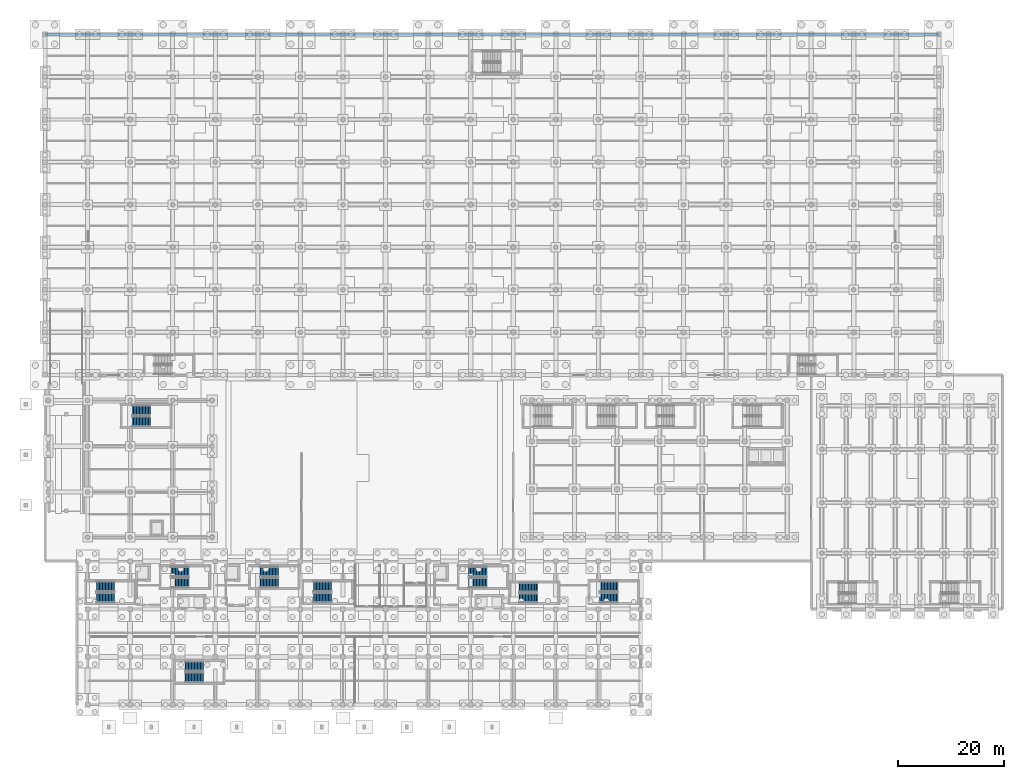
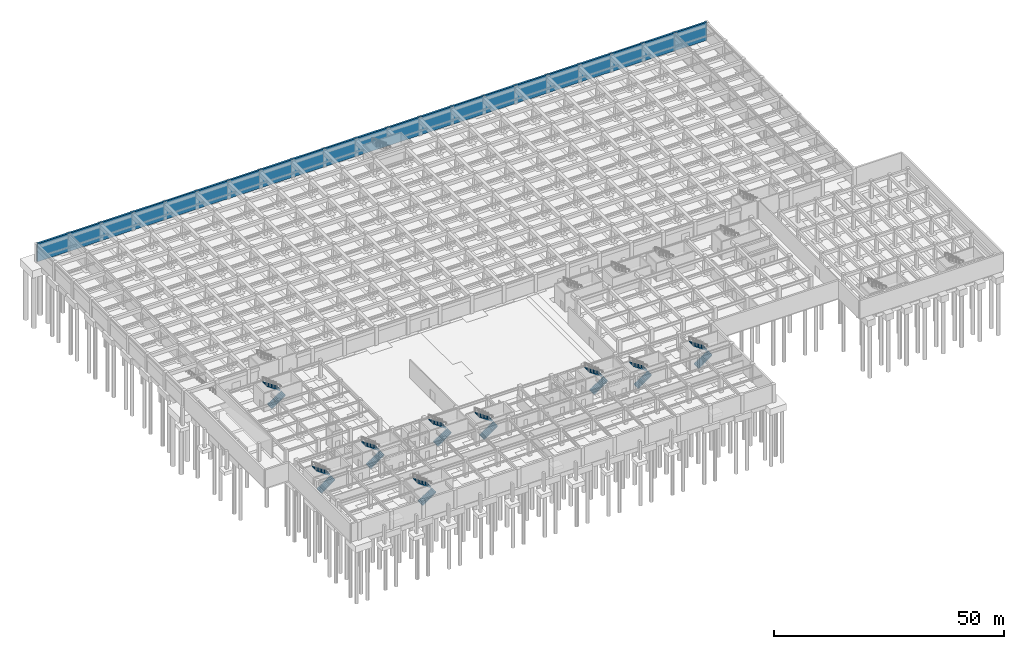
# One storey, part 37 of 48: 18 stair flights, 1 wall, 9 elements without a shape of their own.
"""IFC4 building model written with IfcOpenShell, lengths in metres."""

from ifc_helpers import new_model, si_unit, direction, frame, frame_2d, origin, place, context, subcontext, project, spatial, polyline, rectangle, outline, extrude, material, layer, layer_set, type_object, element, aggregate, save


model = new_model("IFC4")

# Units and contexts
model_context = context("Model", 3, precision=1e-05, world=origin(), true_north=direction((0.0, 1.0)))
body_context = subcontext(model_context, "Body", "Model", "MODEL_VIEW")
ifc_project = project(units=[si_unit("LENGTHUNIT", "METRE"), si_unit("AREAUNIT", "SQUARE_METRE"), si_unit("VOLUMEUNIT", "CUBIC_METRE"), si_unit("PLANEANGLEUNIT", "RADIAN"), si_unit("MASSUNIT", "GRAM", prefix="KILO")], contexts=[model_context])

# Site, building, storey
site_placement = place(None, origin())
site = spatial("IfcSite", under=ifc_project, at=site_placement, CompositionType="ELEMENT")
building_placement = place(site_placement, origin())
building = spatial("IfcBuilding", under=site, at=building_placement, Name="Tlacozan Convention Centre", CompositionType="ELEMENT")
storey_placement = place(building_placement, frame((0.0, 0.0, -4.800048828125)))
storey = spatial("IfcBuildingStorey", under=building, at=storey_placement, Name="B01", CompositionType="ELEMENT", Elevation=-4.800048828125)

# Wall
ifc_material_1 = material(Name="Concrete C35/45", Category="concrete")
ifc_layer = layer(ifc_material_1, 0.4599609375)
ifc_layer_set = layer_set([ifc_layer], Name="Concrete C35/45")
wall_type = type_object("IfcWallType", Name="Basement Retaining Wall 460", PredefinedType="SOLIDWALL", material=ifc_layer_set)
wall_placement = place(storey_placement, frame((168.0, 126.0, 0.0), z_axis=(0.0, 0.0, 1.0), x_axis=(-1.0, 0.0, 0.0)))
element("IfcWall", 1, at=wall_placement, inside=storey, type_object=wall_type, Name="B01 Basement Retaining Wall 460 9", PredefinedType="SOLIDWALL", context=body_context, shape_type="SweptSolid", body=[
    extrude(rectangle(XDim=168.0, YDim=0.4599609375, at=frame_2d((84.0, 0.0))), origin(), (0.0, 0.0, 1.0), 4.800048828125),
])

# Stair, stair flights
ifc_material_2 = material(Name="Concrete C40/50", Category="concrete")
stair_type_1 = type_object("IfcStairType", Name="Protected Dogleg Stair W175 H48", PredefinedType="HALF_TURN_STAIR", material=ifc_material_2)
stair_1_placement = place(storey_placement, origin())
stair_1 = element("IfcStair", 2, at=stair_1_placement, inside=storey, type_object=stair_type_1, Name="B01 East Belvedere Congress Stair", PredefinedType="HALF_TURN_STAIR")
stair_flight_type_1 = type_object("IfcStairFlightType", Name="Concrete Stair Flight W175 H48", PredefinedType="STRAIGHT", material=ifc_material_2)
stair_flight_1_placement = place(storey_placement, frame((89.14990234375, 20.074951171875, 0.0), z_axis=(0.0, 0.0, 1.0), x_axis=(1.0, 0.0, 0.0)))
stair_flight_1 = element("IfcStairFlight", 3, at=stair_flight_1_placement, type_object=stair_flight_type_1, Name="ST-15 flight 1", NumberOfRisers=13, NumberOfTreads=12, PredefinedType="STRAIGHT", RiserHeight=0.184615385, TreadLength=0.28, context=body_context, shape_type="SweptSolid", body=[
    extrude(outline(polyline([(-0.044921875, -0.14990234375), (-0.044921875, 0.0), (0.0, 0.0), (0.0, 0.1845703125), (0.280029296875, 0.1845703125), (0.280029296875, 0.369140625), (0.56005859375, 0.369140625), (0.56005859375, 0.553955078125), (0.840087890625, 0.553955078125), (0.840087890625, 0.738525390625), (1.1201171875, 0.738525390625), (1.1201171875, 0.923095703125), (1.39990234375, 0.923095703125), (1.39990234375, 1.107666015625), (1.679931640625, 1.107666015625), (1.679931640625, 1.292236328125), (1.9599609375, 1.292236328125), (1.9599609375, 1.476806640625), (2.239990234375, 1.476806640625), (2.239990234375, 1.66162109375), (2.52001953125, 1.66162109375), (2.52001953125, 1.84619140625), (2.800048828125, 1.84619140625), (2.800048828125, 2.03076171875), (3.080078125, 2.03076171875), (3.080078125, 2.21533203125), (3.360107421875, 2.21533203125), (3.360107421875, 2.39990234375), (3.405029296875, 2.39990234375), (3.405029296875, 2.25), (3.360107421875, 2.035888671875), (0.272216796875, -0.14990234375), (-0.044921875, -0.14990234375)])), frame((0.0, 0.875, 0.0), z_axis=(0.0, -1.0, 0.0), x_axis=(1.0, 0.0, 0.0)), (0.0, 0.0, 1.0), 1.75),
])
stair_flight_2_placement = place(storey_placement, frame((92.510009765625, 22.02490234375, 2.400146484375), z_axis=(0.0, 0.0, 1.0), x_axis=(-1.0, 0.0, 0.0)))
stair_flight_2 = element("IfcStairFlight", 4, at=stair_flight_2_placement, type_object=stair_flight_type_1, Name="ST-15 flight 2", NumberOfRisers=13, NumberOfTreads=12, PredefinedType="STRAIGHT", RiserHeight=0.184615385, TreadLength=0.28, context=body_context, shape_type="SweptSolid", body=[
    extrude(outline(polyline([(-0.044921875, -0.14990234375), (-0.044921875, 0.0), (0.0, 0.0), (0.0, 0.1845703125), (0.280029296875, 0.1845703125), (0.280029296875, 0.369140625), (0.56005859375, 0.369140625), (0.56005859375, 0.553955078125), (0.840087890625, 0.553955078125), (0.840087890625, 0.738525390625), (1.1201171875, 0.738525390625), (1.1201171875, 0.923095703125), (1.39990234375, 0.923095703125), (1.39990234375, 1.107666015625), (1.679931640625, 1.107666015625), (1.679931640625, 1.292236328125), (1.9599609375, 1.292236328125), (1.9599609375, 1.476806640625), (2.239990234375, 1.476806640625), (2.239990234375, 1.66162109375), (2.52001953125, 1.66162109375), (2.52001953125, 1.84619140625), (2.800048828125, 1.84619140625), (2.800048828125, 2.03076171875), (3.080078125, 2.03076171875), (3.080078125, 2.21533203125), (3.360107421875, 2.21533203125), (3.360107421875, 2.39990234375), (3.405029296875, 2.39990234375), (3.405029296875, 2.25), (3.360107421875, 2.035888671875), (0.272216796875, -0.14990234375), (-0.044921875, -0.14990234375)])), frame((0.0, 0.875, 0.0), z_axis=(0.0, -1.0, 0.0), x_axis=(1.0, 0.0, 0.0)), (0.0, 0.0, 1.0), 1.75),
])
aggregate(stair_1, [stair_flight_1, stair_flight_2])

stair_type_2 = type_object("IfcStairType", Name="Protected Dogleg Stair W188 H48", PredefinedType="HALF_TURN_STAIR", material=ifc_material_2)
stair_2_placement = place(storey_placement, origin())
stair_2 = element("IfcStair", 5, at=stair_2_placement, inside=storey, type_object=stair_type_2, Name="B01 West Congress Core Stair ST-01", PredefinedType="HALF_TURN_STAIR")
stair_flight_type_2 = type_object("IfcStairFlightType", Name="Concrete Stair Flight W188 H48", PredefinedType="STRAIGHT", material=ifc_material_2)
stair_flight_3_placement = place(storey_placement, frame((23.679931640625, 22.93994140625, 0.0), z_axis=(0.0, 0.0, 1.0), x_axis=(1.0, 0.0, 0.0)))
stair_flight_3 = element("IfcStairFlight", 6, at=stair_flight_3_placement, type_object=stair_flight_type_2, Name="ST-01 flight 1", NumberOfRisers=13, NumberOfTreads=12, PredefinedType="STRAIGHT", RiserHeight=0.184615385, TreadLength=0.28, context=body_context, shape_type="SweptSolid", body=[
    extrude(outline(polyline([(-0.044921875, -0.14990234375), (-0.044921875, 0.0), (0.0, 0.0), (0.0, 0.1845703125), (0.280029296875, 0.1845703125), (0.280029296875, 0.369140625), (0.56005859375, 0.369140625), (0.56005859375, 0.553955078125), (0.840087890625, 0.553955078125), (0.840087890625, 0.738525390625), (1.1201171875, 0.738525390625), (1.1201171875, 0.923095703125), (1.39990234375, 0.923095703125), (1.39990234375, 1.107666015625), (1.679931640625, 1.107666015625), (1.679931640625, 1.292236328125), (1.9599609375, 1.292236328125), (1.9599609375, 1.476806640625), (2.239990234375, 1.476806640625), (2.239990234375, 1.66162109375), (2.52001953125, 1.66162109375), (2.52001953125, 1.84619140625), (2.800048828125, 1.84619140625), (2.800048828125, 2.03076171875), (3.080078125, 2.03076171875), (3.080078125, 2.21533203125), (3.360107421875, 2.21533203125), (3.360107421875, 2.39990234375), (3.405029296875, 2.39990234375), (3.405029296875, 2.25), (3.360107421875, 2.035888671875), (0.272216796875, -0.14990234375), (-0.044921875, -0.14990234375)])), frame((0.0, 0.93994140625, 0.0), z_axis=(0.0, -1.0, 0.0), x_axis=(1.0, 0.0, 0.0)), (0.0, 0.0, 1.0), 1.8798828125),
])
stair_flight_4_placement = place(storey_placement, frame((27.0400390625, 25.02001953125, 2.400146484375), z_axis=(0.0, 0.0, 1.0), x_axis=(-1.0, 0.0, 0.0)))
stair_flight_4 = element("IfcStairFlight", 7, at=stair_flight_4_placement, type_object=stair_flight_type_2, Name="ST-01 flight 2", NumberOfRisers=13, NumberOfTreads=12, PredefinedType="STRAIGHT", RiserHeight=0.184615385, TreadLength=0.28, context=body_context, shape_type="SweptSolid", body=[
    extrude(outline(polyline([(-0.044921875, -0.14990234375), (-0.044921875, 0.0), (0.0, 0.0), (0.0, 0.1845703125), (0.280029296875, 0.1845703125), (0.280029296875, 0.369140625), (0.56005859375, 0.369140625), (0.56005859375, 0.553955078125), (0.840087890625, 0.553955078125), (0.840087890625, 0.738525390625), (1.1201171875, 0.738525390625), (1.1201171875, 0.923095703125), (1.39990234375, 0.923095703125), (1.39990234375, 1.107666015625), (1.679931640625, 1.107666015625), (1.679931640625, 1.292236328125), (1.9599609375, 1.292236328125), (1.9599609375, 1.476806640625), (2.239990234375, 1.476806640625), (2.239990234375, 1.66162109375), (2.52001953125, 1.66162109375), (2.52001953125, 1.84619140625), (2.800048828125, 1.84619140625), (2.800048828125, 2.03076171875), (3.080078125, 2.03076171875), (3.080078125, 2.21533203125), (3.360107421875, 2.21533203125), (3.360107421875, 2.39990234375), (3.405029296875, 2.39990234375), (3.405029296875, 2.25), (3.360107421875, 2.035888671875), (0.272216796875, -0.14990234375), (-0.044921875, -0.14990234375)])), frame((0.0, 0.93994140625, 0.0), z_axis=(0.0, -1.0, 0.0), x_axis=(1.0, 0.0, 0.0)), (0.0, 0.0, 1.0), 1.8798828125),
])
aggregate(stair_2, [stair_flight_3, stair_flight_4])

stair_3_placement = place(storey_placement, origin())
stair_3 = element("IfcStair", 8, at=stair_3_placement, inside=storey, type_object=stair_type_2, Name="B01 East Congress Core Stair ST-02", PredefinedType="HALF_TURN_STAIR")
stair_flight_5_placement = place(storey_placement, frame((79.679931640625, 22.93994140625, 0.0), z_axis=(0.0, 0.0, 1.0), x_axis=(1.0, 0.0, 0.0)))
stair_flight_5 = element("IfcStairFlight", 9, at=stair_flight_5_placement, type_object=stair_flight_type_2, Name="ST-02 flight 1", NumberOfRisers=13, NumberOfTreads=12, PredefinedType="STRAIGHT", RiserHeight=0.184615385, TreadLength=0.28, context=body_context, shape_type="SweptSolid", body=[
    extrude(outline(polyline([(-0.044921875, -0.14990234375), (-0.044921875, 0.0), (0.0, 0.0), (0.0, 0.1845703125), (0.280029296875, 0.1845703125), (0.280029296875, 0.369140625), (0.56005859375, 0.369140625), (0.56005859375, 0.553955078125), (0.840087890625, 0.553955078125), (0.840087890625, 0.738525390625), (1.1201171875, 0.738525390625), (1.1201171875, 0.923095703125), (1.39990234375, 0.923095703125), (1.39990234375, 1.107666015625), (1.679931640625, 1.107666015625), (1.679931640625, 1.292236328125), (1.9599609375, 1.292236328125), (1.9599609375, 1.476806640625), (2.239990234375, 1.476806640625), (2.239990234375, 1.66162109375), (2.52001953125, 1.66162109375), (2.52001953125, 1.84619140625), (2.800048828125, 1.84619140625), (2.800048828125, 2.03076171875), (3.080078125, 2.03076171875), (3.080078125, 2.21533203125), (3.360107421875, 2.21533203125), (3.360107421875, 2.39990234375), (3.405029296875, 2.39990234375), (3.405029296875, 2.25), (3.360107421875, 2.035888671875), (0.272216796875, -0.14990234375), (-0.044921875, -0.14990234375)])), frame((0.0, 0.93994140625, 0.0), z_axis=(0.0, -1.0, 0.0), x_axis=(1.0, 0.0, 0.0)), (0.0, 0.0, 1.0), 1.8798828125),
])
stair_flight_6_placement = place(storey_placement, frame((83.0400390625, 25.02001953125, 2.400146484375), z_axis=(0.0, 0.0, 1.0), x_axis=(-1.0, 0.0, 0.0)))
stair_flight_6 = element("IfcStairFlight", 10, at=stair_flight_6_placement, type_object=stair_flight_type_2, Name="ST-02 flight 2", NumberOfRisers=13, NumberOfTreads=12, PredefinedType="STRAIGHT", RiserHeight=0.184615385, TreadLength=0.28, context=body_context, shape_type="SweptSolid", body=[
    extrude(outline(polyline([(-0.044921875, -0.14990234375), (-0.044921875, 0.0), (0.0, 0.0), (0.0, 0.1845703125), (0.280029296875, 0.1845703125), (0.280029296875, 0.369140625), (0.56005859375, 0.369140625), (0.56005859375, 0.553955078125), (0.840087890625, 0.553955078125), (0.840087890625, 0.738525390625), (1.1201171875, 0.738525390625), (1.1201171875, 0.923095703125), (1.39990234375, 0.923095703125), (1.39990234375, 1.107666015625), (1.679931640625, 1.107666015625), (1.679931640625, 1.292236328125), (1.9599609375, 1.292236328125), (1.9599609375, 1.476806640625), (2.239990234375, 1.476806640625), (2.239990234375, 1.66162109375), (2.52001953125, 1.66162109375), (2.52001953125, 1.84619140625), (2.800048828125, 1.84619140625), (2.800048828125, 2.03076171875), (3.080078125, 2.03076171875), (3.080078125, 2.21533203125), (3.360107421875, 2.21533203125), (3.360107421875, 2.39990234375), (3.405029296875, 2.39990234375), (3.405029296875, 2.25), (3.360107421875, 2.035888671875), (0.272216796875, -0.14990234375), (-0.044921875, -0.14990234375)])), frame((0.0, 0.93994140625, 0.0), z_axis=(0.0, -1.0, 0.0), x_axis=(1.0, 0.0, 0.0)), (0.0, 0.0, 1.0), 1.8798828125),
])
aggregate(stair_3, [stair_flight_5, stair_flight_6])

stair_4_placement = place(storey_placement, origin())
stair_4 = element("IfcStair", 11, at=stair_4_placement, inside=storey, type_object=stair_type_2, Name="B01 Central Congress Core Stair ST-04", PredefinedType="HALF_TURN_STAIR")
stair_flight_7_placement = place(storey_placement, frame((40.47998046875, 22.93994140625, 0.0), z_axis=(0.0, 0.0, 1.0), x_axis=(1.0, 0.0, 0.0)))
stair_flight_7 = element("IfcStairFlight", 12, at=stair_flight_7_placement, type_object=stair_flight_type_2, Name="ST-04 flight 1", NumberOfRisers=13, NumberOfTreads=12, PredefinedType="STRAIGHT", RiserHeight=0.184615385, TreadLength=0.28, context=body_context, shape_type="SweptSolid", body=[
    extrude(outline(polyline([(-0.044921875, -0.14990234375), (-0.044921875, 0.0), (0.0, 0.0), (0.0, 0.1845703125), (0.280029296875, 0.1845703125), (0.280029296875, 0.369140625), (0.56005859375, 0.369140625), (0.56005859375, 0.553955078125), (0.840087890625, 0.553955078125), (0.840087890625, 0.738525390625), (1.1201171875, 0.738525390625), (1.1201171875, 0.923095703125), (1.39990234375, 0.923095703125), (1.39990234375, 1.107666015625), (1.679931640625, 1.107666015625), (1.679931640625, 1.292236328125), (1.9599609375, 1.292236328125), (1.9599609375, 1.476806640625), (2.239990234375, 1.476806640625), (2.239990234375, 1.66162109375), (2.52001953125, 1.66162109375), (2.52001953125, 1.84619140625), (2.800048828125, 1.84619140625), (2.800048828125, 2.03076171875), (3.080078125, 2.03076171875), (3.080078125, 2.21533203125), (3.360107421875, 2.21533203125), (3.360107421875, 2.39990234375), (3.405029296875, 2.39990234375), (3.405029296875, 2.25), (3.360107421875, 2.035888671875), (0.272216796875, -0.14990234375), (-0.044921875, -0.14990234375)])), frame((0.0, 0.93994140625, 0.0), z_axis=(0.0, -1.0, 0.0), x_axis=(1.0, 0.0, 0.0)), (0.0, 0.0, 1.0), 1.8798828125),
])
stair_flight_8_placement = place(storey_placement, frame((43.840087890625, 25.02001953125, 2.400146484375), z_axis=(0.0, 0.0, 1.0), x_axis=(-1.0, 0.0, 0.0)))
stair_flight_8 = element("IfcStairFlight", 13, at=stair_flight_8_placement, type_object=stair_flight_type_2, Name="ST-04 flight 2", NumberOfRisers=13, NumberOfTreads=12, PredefinedType="STRAIGHT", RiserHeight=0.184615385, TreadLength=0.28, context=body_context, shape_type="SweptSolid", body=[
    extrude(outline(polyline([(-0.044921875, -0.14990234375), (-0.044921875, 0.0), (0.0, 0.0), (0.0, 0.1845703125), (0.280029296875, 0.1845703125), (0.280029296875, 0.369140625), (0.56005859375, 0.369140625), (0.56005859375, 0.553955078125), (0.840087890625, 0.553955078125), (0.840087890625, 0.738525390625), (1.1201171875, 0.738525390625), (1.1201171875, 0.923095703125), (1.39990234375, 0.923095703125), (1.39990234375, 1.107666015625), (1.679931640625, 1.107666015625), (1.679931640625, 1.292236328125), (1.9599609375, 1.292236328125), (1.9599609375, 1.476806640625), (2.239990234375, 1.476806640625), (2.239990234375, 1.66162109375), (2.52001953125, 1.66162109375), (2.52001953125, 1.84619140625), (2.800048828125, 1.84619140625), (2.800048828125, 2.03076171875), (3.080078125, 2.03076171875), (3.080078125, 2.21533203125), (3.360107421875, 2.21533203125), (3.360107421875, 2.39990234375), (3.405029296875, 2.39990234375), (3.405029296875, 2.25), (3.360107421875, 2.035888671875), (0.272216796875, -0.14990234375), (-0.044921875, -0.14990234375)])), frame((0.0, 0.93994140625, 0.0), z_axis=(0.0, -1.0, 0.0), x_axis=(1.0, 0.0, 0.0)), (0.0, 0.0, 1.0), 1.8798828125),
])
aggregate(stair_4, [stair_flight_7, stair_flight_8])

stair_5_placement = place(storey_placement, origin())
stair_5 = element("IfcStair", 14, at=stair_5_placement, inside=storey, type_object=stair_type_2, Name="B01 East Congress Stair", PredefinedType="HALF_TURN_STAIR")
stair_flight_9_placement = place(storey_placement, frame((104.280029296875, 20.139892578125, 0.0), z_axis=(0.0, 0.0, 1.0), x_axis=(1.0, 0.0, 0.0)))
stair_flight_9 = element("IfcStairFlight", 15, at=stair_flight_9_placement, type_object=stair_flight_type_2, Name="ST-05 flight 1", NumberOfRisers=13, NumberOfTreads=12, PredefinedType="STRAIGHT", RiserHeight=0.184615385, TreadLength=0.28, context=body_context, shape_type="SweptSolid", body=[
    extrude(outline(polyline([(-0.044921875, -0.14990234375), (-0.044921875, 0.0), (0.0, 0.0), (0.0, 0.1845703125), (0.280029296875, 0.1845703125), (0.280029296875, 0.369140625), (0.56005859375, 0.369140625), (0.56005859375, 0.553955078125), (0.840087890625, 0.553955078125), (0.840087890625, 0.738525390625), (1.1201171875, 0.738525390625), (1.1201171875, 0.923095703125), (1.39990234375, 0.923095703125), (1.39990234375, 1.107666015625), (1.679931640625, 1.107666015625), (1.679931640625, 1.292236328125), (1.9599609375, 1.292236328125), (1.9599609375, 1.476806640625), (2.239990234375, 1.476806640625), (2.239990234375, 1.66162109375), (2.52001953125, 1.66162109375), (2.52001953125, 1.84619140625), (2.800048828125, 1.84619140625), (2.800048828125, 2.03076171875), (3.080078125, 2.03076171875), (3.080078125, 2.21533203125), (3.360107421875, 2.21533203125), (3.360107421875, 2.39990234375), (3.405029296875, 2.39990234375), (3.405029296875, 2.25), (3.360107421875, 2.035888671875), (0.272216796875, -0.14990234375), (-0.044921875, -0.14990234375)])), frame((0.0, 0.93994140625, 0.0), z_axis=(0.0, -1.0, 0.0), x_axis=(1.0, 0.0, 0.0)), (0.0, 0.0, 1.0), 1.8798828125),
])
stair_flight_10_placement = place(storey_placement, frame((107.639892578125, 22.219970703125, 2.400146484375), z_axis=(0.0, 0.0, 1.0), x_axis=(-1.0, 0.0, 0.0)))
stair_flight_10 = element("IfcStairFlight", 16, at=stair_flight_10_placement, type_object=stair_flight_type_2, Name="ST-05 flight 2", NumberOfRisers=13, NumberOfTreads=12, PredefinedType="STRAIGHT", RiserHeight=0.184615385, TreadLength=0.28, context=body_context, shape_type="SweptSolid", body=[
    extrude(outline(polyline([(-0.044921875, -0.14990234375), (-0.044921875, 0.0), (0.0, 0.0), (0.0, 0.1845703125), (0.280029296875, 0.1845703125), (0.280029296875, 0.369140625), (0.56005859375, 0.369140625), (0.56005859375, 0.553955078125), (0.840087890625, 0.553955078125), (0.840087890625, 0.738525390625), (1.1201171875, 0.738525390625), (1.1201171875, 0.923095703125), (1.39990234375, 0.923095703125), (1.39990234375, 1.107666015625), (1.679931640625, 1.107666015625), (1.679931640625, 1.292236328125), (1.9599609375, 1.292236328125), (1.9599609375, 1.476806640625), (2.239990234375, 1.476806640625), (2.239990234375, 1.66162109375), (2.52001953125, 1.66162109375), (2.52001953125, 1.84619140625), (2.800048828125, 1.84619140625), (2.800048828125, 2.03076171875), (3.080078125, 2.03076171875), (3.080078125, 2.21533203125), (3.360107421875, 2.21533203125), (3.360107421875, 2.39990234375), (3.405029296875, 2.39990234375), (3.405029296875, 2.25), (3.360107421875, 2.035888671875), (0.272216796875, -0.14990234375), (-0.044921875, -0.14990234375)])), frame((0.0, 0.93994140625, 0.0), z_axis=(0.0, -1.0, 0.0), x_axis=(1.0, 0.0, 0.0)), (0.0, 0.0, 1.0), 1.8798828125),
])
aggregate(stair_5, [stair_flight_9, stair_flight_10])

stair_6_placement = place(storey_placement, origin())
stair_6 = element("IfcStair", 17, at=stair_6_placement, inside=storey, type_object=stair_type_2, Name="B01 West Belvedere Congress Stair", PredefinedType="HALF_TURN_STAIR")
stair_flight_11_placement = place(storey_placement, frame((9.679931640625, 20.139892578125, 0.0), z_axis=(0.0, 0.0, 1.0), x_axis=(1.0, 0.0, 0.0)))
stair_flight_11 = element("IfcStairFlight", 18, at=stair_flight_11_placement, type_object=stair_flight_type_2, Name="ST-13 flight 1", NumberOfRisers=13, NumberOfTreads=12, PredefinedType="STRAIGHT", RiserHeight=0.184615385, TreadLength=0.28, context=body_context, shape_type="SweptSolid", body=[
    extrude(outline(polyline([(-0.044921875, -0.14990234375), (-0.044921875, 0.0), (0.0, 0.0), (0.0, 0.1845703125), (0.280029296875, 0.1845703125), (0.280029296875, 0.369140625), (0.56005859375, 0.369140625), (0.56005859375, 0.553955078125), (0.840087890625, 0.553955078125), (0.840087890625, 0.738525390625), (1.1201171875, 0.738525390625), (1.1201171875, 0.923095703125), (1.39990234375, 0.923095703125), (1.39990234375, 1.107666015625), (1.679931640625, 1.107666015625), (1.679931640625, 1.292236328125), (1.9599609375, 1.292236328125), (1.9599609375, 1.476806640625), (2.239990234375, 1.476806640625), (2.239990234375, 1.66162109375), (2.52001953125, 1.66162109375), (2.52001953125, 1.84619140625), (2.800048828125, 1.84619140625), (2.800048828125, 2.03076171875), (3.080078125, 2.03076171875), (3.080078125, 2.21533203125), (3.360107421875, 2.21533203125), (3.360107421875, 2.39990234375), (3.405029296875, 2.39990234375), (3.405029296875, 2.25), (3.360107421875, 2.035888671875), (0.272216796875, -0.14990234375), (-0.044921875, -0.14990234375)])), frame((0.0, 0.93994140625, 0.0), z_axis=(0.0, -1.0, 0.0), x_axis=(1.0, 0.0, 0.0)), (0.0, 0.0, 1.0), 1.8798828125),
])
stair_flight_12_placement = place(storey_placement, frame((13.0400390625, 22.219970703125, 2.400146484375), z_axis=(0.0, 0.0, 1.0), x_axis=(-1.0, 0.0, 0.0)))
stair_flight_12 = element("IfcStairFlight", 19, at=stair_flight_12_placement, type_object=stair_flight_type_2, Name="ST-13 flight 2", NumberOfRisers=13, NumberOfTreads=12, PredefinedType="STRAIGHT", RiserHeight=0.184615385, TreadLength=0.28, context=body_context, shape_type="SweptSolid", body=[
    extrude(outline(polyline([(-0.044921875, -0.14990234375), (-0.044921875, 0.0), (0.0, 0.0), (0.0, 0.1845703125), (0.280029296875, 0.1845703125), (0.280029296875, 0.369140625), (0.56005859375, 0.369140625), (0.56005859375, 0.553955078125), (0.840087890625, 0.553955078125), (0.840087890625, 0.738525390625), (1.1201171875, 0.738525390625), (1.1201171875, 0.923095703125), (1.39990234375, 0.923095703125), (1.39990234375, 1.107666015625), (1.679931640625, 1.107666015625), (1.679931640625, 1.292236328125), (1.9599609375, 1.292236328125), (1.9599609375, 1.476806640625), (2.239990234375, 1.476806640625), (2.239990234375, 1.66162109375), (2.52001953125, 1.66162109375), (2.52001953125, 1.84619140625), (2.800048828125, 1.84619140625), (2.800048828125, 2.03076171875), (3.080078125, 2.03076171875), (3.080078125, 2.21533203125), (3.360107421875, 2.21533203125), (3.360107421875, 2.39990234375), (3.405029296875, 2.39990234375), (3.405029296875, 2.25), (3.360107421875, 2.035888671875), (0.272216796875, -0.14990234375), (-0.044921875, -0.14990234375)])), frame((0.0, 0.93994140625, 0.0), z_axis=(0.0, -1.0, 0.0), x_axis=(1.0, 0.0, 0.0)), (0.0, 0.0, 1.0), 1.8798828125),
])
aggregate(stair_6, [stair_flight_11, stair_flight_12])

stair_7_placement = place(storey_placement, origin())
stair_7 = element("IfcStair", 20, at=stair_7_placement, inside=storey, type_object=stair_type_2, Name="B01 Central Promenade Congress Stair", PredefinedType="HALF_TURN_STAIR")
stair_flight_13_placement = place(storey_placement, frame((50.47998046875, 20.139892578125, 0.0), z_axis=(0.0, 0.0, 1.0), x_axis=(1.0, 0.0, 0.0)))
stair_flight_13 = element("IfcStairFlight", 21, at=stair_flight_13_placement, type_object=stair_flight_type_2, Name="ST-14 flight 1", NumberOfRisers=13, NumberOfTreads=12, PredefinedType="STRAIGHT", RiserHeight=0.184615385, TreadLength=0.28, context=body_context, shape_type="SweptSolid", body=[
    extrude(outline(polyline([(-0.044921875, -0.14990234375), (-0.044921875, 0.0), (0.0, 0.0), (0.0, 0.1845703125), (0.280029296875, 0.1845703125), (0.280029296875, 0.369140625), (0.56005859375, 0.369140625), (0.56005859375, 0.553955078125), (0.840087890625, 0.553955078125), (0.840087890625, 0.738525390625), (1.1201171875, 0.738525390625), (1.1201171875, 0.923095703125), (1.39990234375, 0.923095703125), (1.39990234375, 1.107666015625), (1.679931640625, 1.107666015625), (1.679931640625, 1.292236328125), (1.9599609375, 1.292236328125), (1.9599609375, 1.476806640625), (2.239990234375, 1.476806640625), (2.239990234375, 1.66162109375), (2.52001953125, 1.66162109375), (2.52001953125, 1.84619140625), (2.800048828125, 1.84619140625), (2.800048828125, 2.03076171875), (3.080078125, 2.03076171875), (3.080078125, 2.21533203125), (3.360107421875, 2.21533203125), (3.360107421875, 2.39990234375), (3.405029296875, 2.39990234375), (3.405029296875, 2.25), (3.360107421875, 2.035888671875), (0.272216796875, -0.14990234375), (-0.044921875, -0.14990234375)])), frame((0.0, 0.93994140625, 0.0), z_axis=(0.0, -1.0, 0.0), x_axis=(1.0, 0.0, 0.0)), (0.0, 0.0, 1.0), 1.8798828125),
])
stair_flight_14_placement = place(storey_placement, frame((53.840087890625, 22.219970703125, 2.400146484375), z_axis=(0.0, 0.0, 1.0), x_axis=(-1.0, 0.0, 0.0)))
stair_flight_14 = element("IfcStairFlight", 22, at=stair_flight_14_placement, type_object=stair_flight_type_2, Name="ST-14 flight 2", NumberOfRisers=13, NumberOfTreads=12, PredefinedType="STRAIGHT", RiserHeight=0.184615385, TreadLength=0.28, context=body_context, shape_type="SweptSolid", body=[
    extrude(outline(polyline([(-0.044921875, -0.14990234375), (-0.044921875, 0.0), (0.0, 0.0), (0.0, 0.1845703125), (0.280029296875, 0.1845703125), (0.280029296875, 0.369140625), (0.56005859375, 0.369140625), (0.56005859375, 0.553955078125), (0.840087890625, 0.553955078125), (0.840087890625, 0.738525390625), (1.1201171875, 0.738525390625), (1.1201171875, 0.923095703125), (1.39990234375, 0.923095703125), (1.39990234375, 1.107666015625), (1.679931640625, 1.107666015625), (1.679931640625, 1.292236328125), (1.9599609375, 1.292236328125), (1.9599609375, 1.476806640625), (2.239990234375, 1.476806640625), (2.239990234375, 1.66162109375), (2.52001953125, 1.66162109375), (2.52001953125, 1.84619140625), (2.800048828125, 1.84619140625), (2.800048828125, 2.03076171875), (3.080078125, 2.03076171875), (3.080078125, 2.21533203125), (3.360107421875, 2.21533203125), (3.360107421875, 2.39990234375), (3.405029296875, 2.39990234375), (3.405029296875, 2.25), (3.360107421875, 2.035888671875), (0.272216796875, -0.14990234375), (-0.044921875, -0.14990234375)])), frame((0.0, 0.93994140625, 0.0), z_axis=(0.0, -1.0, 0.0), x_axis=(1.0, 0.0, 0.0)), (0.0, 0.0, 1.0), 1.8798828125),
])
aggregate(stair_7, [stair_flight_13, stair_flight_14])

stair_8_placement = place(storey_placement, origin())
stair_8 = element("IfcStair", 23, at=stair_8_placement, inside=storey, type_object=stair_type_2, Name="B01 West Concourse Grand Stair", PredefinedType="HALF_TURN_STAIR")
stair_flight_15_placement = place(storey_placement, frame((26.3798828125, 5.139892578125, 0.0), z_axis=(0.0, 0.0, 1.0), x_axis=(1.0, 0.0, 0.0)))
stair_flight_15 = element("IfcStairFlight", 24, at=stair_flight_15_placement, type_object=stair_flight_type_2, Name="ST-16 flight 1", NumberOfRisers=13, NumberOfTreads=12, PredefinedType="STRAIGHT", RiserHeight=0.184615385, TreadLength=0.28, context=body_context, shape_type="SweptSolid", body=[
    extrude(outline(polyline([(-0.044921875, -0.14990234375), (-0.044921875, 0.0), (0.0, 0.0), (0.0, 0.1845703125), (0.280029296875, 0.1845703125), (0.280029296875, 0.369140625), (0.56005859375, 0.369140625), (0.56005859375, 0.553955078125), (0.840087890625, 0.553955078125), (0.840087890625, 0.738525390625), (1.1201171875, 0.738525390625), (1.1201171875, 0.923095703125), (1.39990234375, 0.923095703125), (1.39990234375, 1.107666015625), (1.679931640625, 1.107666015625), (1.679931640625, 1.292236328125), (1.9599609375, 1.292236328125), (1.9599609375, 1.476806640625), (2.239990234375, 1.476806640625), (2.239990234375, 1.66162109375), (2.52001953125, 1.66162109375), (2.52001953125, 1.84619140625), (2.800048828125, 1.84619140625), (2.800048828125, 2.03076171875), (3.080078125, 2.03076171875), (3.080078125, 2.21533203125), (3.360107421875, 2.21533203125), (3.360107421875, 2.39990234375), (3.405029296875, 2.39990234375), (3.405029296875, 2.25), (3.360107421875, 2.035888671875), (0.272216796875, -0.14990234375), (-0.044921875, -0.14990234375)])), frame((0.0, 0.93994140625, 0.0), z_axis=(0.0, -1.0, 0.0), x_axis=(1.0, 0.0, 0.0)), (0.0, 0.0, 1.0), 1.8798828125),
])
stair_flight_16_placement = place(storey_placement, frame((29.739990234375, 7.219970703125, 2.400146484375), z_axis=(0.0, 0.0, 1.0), x_axis=(-1.0, 0.0, 0.0)))
stair_flight_16 = element("IfcStairFlight", 25, at=stair_flight_16_placement, type_object=stair_flight_type_2, Name="ST-16 flight 2", NumberOfRisers=13, NumberOfTreads=12, PredefinedType="STRAIGHT", RiserHeight=0.184615385, TreadLength=0.28, context=body_context, shape_type="SweptSolid", body=[
    extrude(outline(polyline([(-0.044921875, -0.14990234375), (-0.044921875, 0.0), (0.0, 0.0), (0.0, 0.1845703125), (0.280029296875, 0.1845703125), (0.280029296875, 0.369140625), (0.56005859375, 0.369140625), (0.56005859375, 0.553955078125), (0.840087890625, 0.553955078125), (0.840087890625, 0.738525390625), (1.1201171875, 0.738525390625), (1.1201171875, 0.923095703125), (1.39990234375, 0.923095703125), (1.39990234375, 1.107666015625), (1.679931640625, 1.107666015625), (1.679931640625, 1.292236328125), (1.9599609375, 1.292236328125), (1.9599609375, 1.476806640625), (2.239990234375, 1.476806640625), (2.239990234375, 1.66162109375), (2.52001953125, 1.66162109375), (2.52001953125, 1.84619140625), (2.800048828125, 1.84619140625), (2.800048828125, 2.03076171875), (3.080078125, 2.03076171875), (3.080078125, 2.21533203125), (3.360107421875, 2.21533203125), (3.360107421875, 2.39990234375), (3.405029296875, 2.39990234375), (3.405029296875, 2.25), (3.360107421875, 2.035888671875), (0.272216796875, -0.14990234375), (-0.044921875, -0.14990234375)])), frame((0.0, 0.93994140625, 0.0), z_axis=(0.0, -1.0, 0.0), x_axis=(1.0, 0.0, 0.0)), (0.0, 0.0, 1.0), 1.8798828125),
])
aggregate(stair_8, [stair_flight_15, stair_flight_16])

stair_9_placement = place(storey_placement, origin())
stair_9 = element("IfcStair", 26, at=stair_9_placement, inside=storey, type_object=stair_type_2, Name="B01 Service Wing Stair", PredefinedType="HALF_TURN_STAIR")
stair_flight_17_placement = place(storey_placement, frame((16.3798828125, 53.239990234375, 0.0), z_axis=(0.0, 0.0, 1.0), x_axis=(1.0, 0.0, 0.0)))
stair_flight_17 = element("IfcStairFlight", 27, at=stair_flight_17_placement, type_object=stair_flight_type_2, Name="ST-09 flight 1", NumberOfRisers=13, NumberOfTreads=12, PredefinedType="STRAIGHT", RiserHeight=0.184615385, TreadLength=0.28, context=body_context, shape_type="SweptSolid", body=[
    extrude(outline(polyline([(-0.044921875, -0.14990234375), (-0.044921875, 0.0), (0.0, 0.0), (0.0, 0.1845703125), (0.280029296875, 0.1845703125), (0.280029296875, 0.369140625), (0.56005859375, 0.369140625), (0.56005859375, 0.553955078125), (0.840087890625, 0.553955078125), (0.840087890625, 0.738525390625), (1.1201171875, 0.738525390625), (1.1201171875, 0.923095703125), (1.39990234375, 0.923095703125), (1.39990234375, 1.107666015625), (1.679931640625, 1.107666015625), (1.679931640625, 1.292236328125), (1.9599609375, 1.292236328125), (1.9599609375, 1.476806640625), (2.239990234375, 1.476806640625), (2.239990234375, 1.66162109375), (2.52001953125, 1.66162109375), (2.52001953125, 1.84619140625), (2.800048828125, 1.84619140625), (2.800048828125, 2.03076171875), (3.080078125, 2.03076171875), (3.080078125, 2.21533203125), (3.360107421875, 2.21533203125), (3.360107421875, 2.39990234375), (3.405029296875, 2.39990234375), (3.405029296875, 2.25), (3.360107421875, 2.035888671875), (0.272216796875, -0.14990234375), (-0.044921875, -0.14990234375)])), frame((0.0, 0.93994140625, 0.0), z_axis=(0.0, -1.0, 0.0), x_axis=(1.0, 0.0, 0.0)), (0.0, 0.0, 1.0), 1.8798828125),
])
stair_flight_18_placement = place(storey_placement, frame((19.739990234375, 55.320068359375, 2.400146484375), z_axis=(0.0, 0.0, 1.0), x_axis=(-1.0, 0.0, 0.0)))
stair_flight_18 = element("IfcStairFlight", 28, at=stair_flight_18_placement, type_object=stair_flight_type_2, Name="ST-09 flight 2", NumberOfRisers=13, NumberOfTreads=12, PredefinedType="STRAIGHT", RiserHeight=0.184615385, TreadLength=0.28, context=body_context, shape_type="SweptSolid", body=[
    extrude(outline(polyline([(-0.044921875, -0.14990234375), (-0.044921875, 0.0), (0.0, 0.0), (0.0, 0.1845703125), (0.280029296875, 0.1845703125), (0.280029296875, 0.369140625), (0.56005859375, 0.369140625), (0.56005859375, 0.553955078125), (0.840087890625, 0.553955078125), (0.840087890625, 0.738525390625), (1.1201171875, 0.738525390625), (1.1201171875, 0.923095703125), (1.39990234375, 0.923095703125), (1.39990234375, 1.107666015625), (1.679931640625, 1.107666015625), (1.679931640625, 1.292236328125), (1.9599609375, 1.292236328125), (1.9599609375, 1.476806640625), (2.239990234375, 1.476806640625), (2.239990234375, 1.66162109375), (2.52001953125, 1.66162109375), (2.52001953125, 1.84619140625), (2.800048828125, 1.84619140625), (2.800048828125, 2.03076171875), (3.080078125, 2.03076171875), (3.080078125, 2.21533203125), (3.360107421875, 2.21533203125), (3.360107421875, 2.39990234375), (3.405029296875, 2.39990234375), (3.405029296875, 2.25), (3.360107421875, 2.035888671875), (0.272216796875, -0.14990234375), (-0.044921875, -0.14990234375)])), frame((0.0, 0.93994140625, 0.0), z_axis=(0.0, -1.0, 0.0), x_axis=(1.0, 0.0, 0.0)), (0.0, 0.0, 1.0), 1.8798828125),
])
aggregate(stair_9, [stair_flight_17, stair_flight_18])

save(model, "model.ifc")
